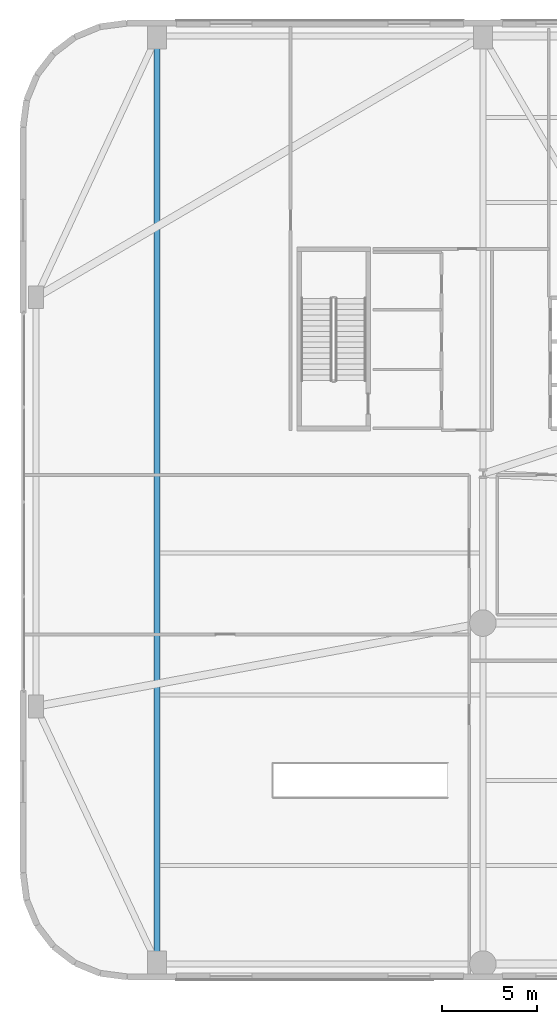
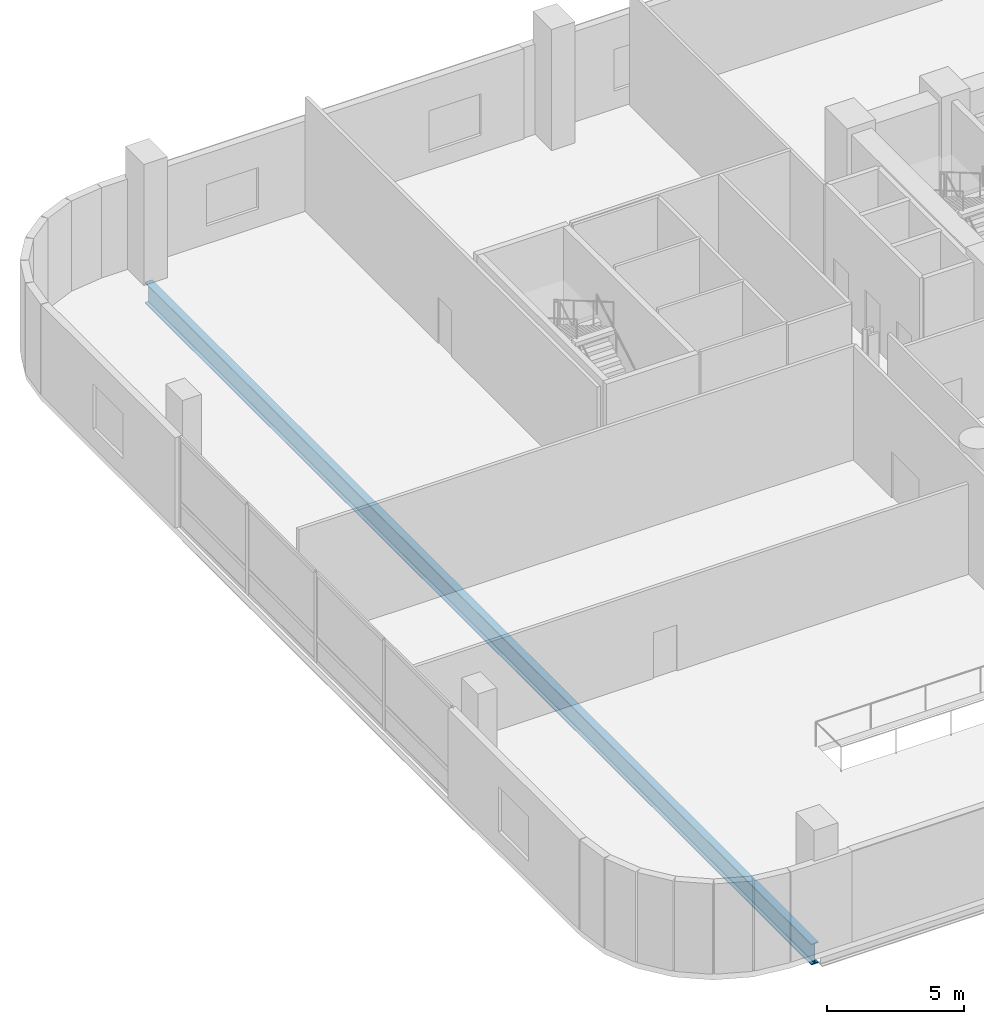
# One storey, part 7 of 31: 1 beam.
"""IFC4 building model written with IfcOpenShell, lengths in metres."""

from ifc_helpers import new_model, si_unit, direction, frame, origin, origin_2d, place, context, subcontext, project, spatial, i_section, extrude, material, material_profile, profile_set, type_object, element, save


model = new_model("IFC4")

# Units and contexts
model_context = context("Model", 3, precision=1e-05, world=origin(), true_north=direction((0.0, 1.0)))
body_context = subcontext(model_context, "Body", "Model", "MODEL_VIEW")
ifc_project = project(units=[si_unit("LENGTHUNIT", "METRE"), si_unit("AREAUNIT", "SQUARE_METRE"), si_unit("VOLUMEUNIT", "CUBIC_METRE"), si_unit("PLANEANGLEUNIT", "RADIAN"), si_unit("MASSUNIT", "GRAM", prefix="KILO")], contexts=[model_context])

# Site, building, storey
site_placement = place(None, origin())
site = spatial("IfcSite", under=ifc_project, at=site_placement, CompositionType="ELEMENT")
building_placement = place(site_placement, origin())
building = spatial("IfcBuilding", under=site, at=building_placement, Name="Varnelok Gate Tower", CompositionType="ELEMENT")
storey_placement = place(building_placement, frame((0.0, 0.0, 16.199951171875)))
storey = spatial("IfcBuildingStorey", under=building, at=storey_placement, Name="L03", CompositionType="ELEMENT", Elevation=16.199951171875)

# Beam
ifc_material = material(Name="Structural Steel ASTM A992 Grade 50", Category="steel")
ifc_material_profile = material_profile(ifc_material, i_section(OverallWidth=0.30810546875, OverallDepth=0.943115234375, WebThickness=0.022216796875, FlangeThickness=0.039794921875, FilletRadius=0.02587890625, at=origin_2d()), Name="W36X232")
ifc_profile_set = profile_set([ifc_material_profile], Name="Structural Steel ASTM A992 Grade 50")
beam_type = type_object("IfcBeamType", Name="BM-PRI-W36X232", PredefinedType="BEAM", material=ifc_profile_set)
beam_placement = place(storey_placement, frame((7.199951171875, 0.93994140625, -0.75146484375), z_axis=(0.0, 1.0, 0.0), x_axis=(-1.0, 0.0, 0.0)))
element("IfcBeam", 1, at=beam_placement, inside=storey, type_object=beam_type, Name="L03 Podium Primary Girder 14", PredefinedType="BEAM", context=body_context, shape_type="SweptSolid", body=[
    extrude(i_section(OverallWidth=0.30810546875, OverallDepth=0.943115234375, WebThickness=0.022216796875, FlangeThickness=0.039794921875, FilletRadius=0.02587890625, at=origin_2d()), origin(), (0.0, 0.0, 1.0), 48.719970703125),
])

save(model, "model.ifc")
